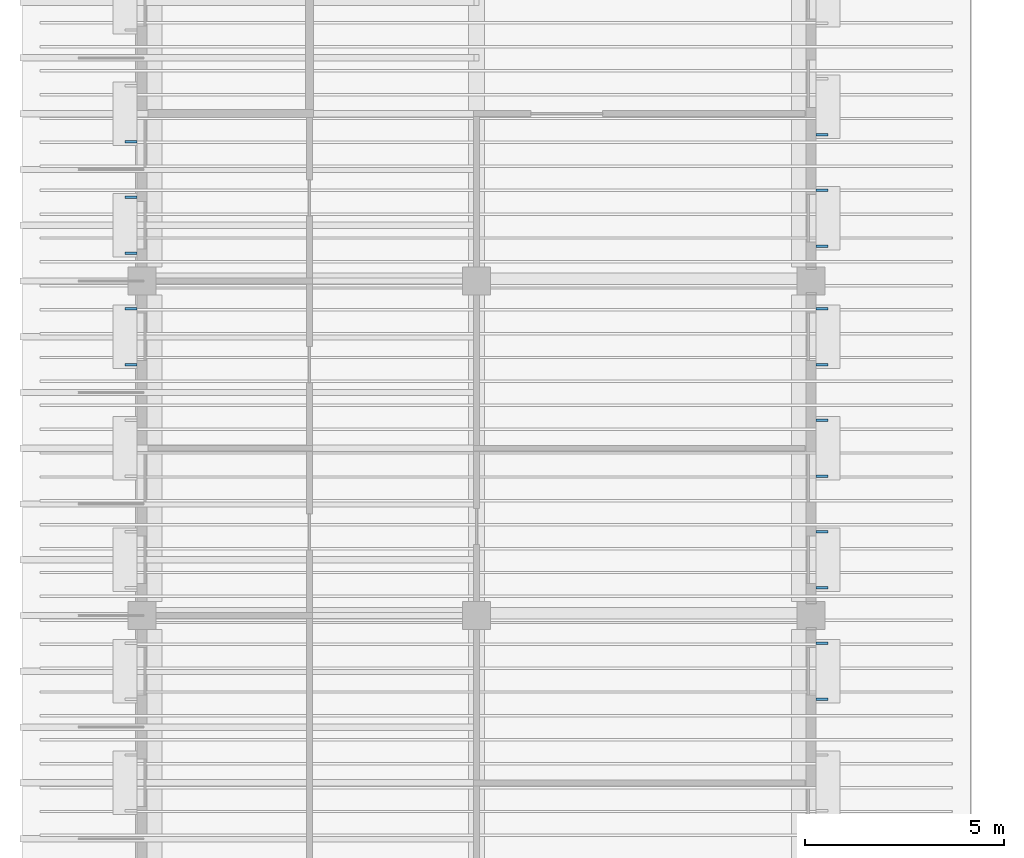
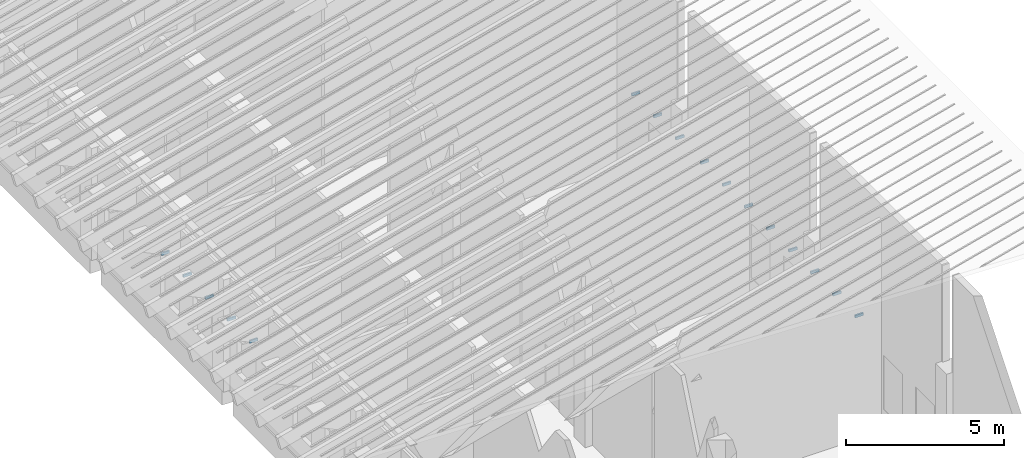
# One storey, part 35 of 82: 16 discrete accessories.
"""IFC4 building model written with IfcOpenShell, lengths in metres."""

from ifc_helpers import new_model, si_unit, direction, frame, origin, origin_2d, place, context, subcontext, project, spatial, rectangle, extrude, material, type_object, element, save


model = new_model("IFC4")

# Units and contexts
model_context = context("Model", 3, precision=1e-05, world=origin(), true_north=direction((0.0, 1.0)))
body_context = subcontext(model_context, "Body", "Model", "MODEL_VIEW")
ifc_project = project(units=[si_unit("LENGTHUNIT", "METRE"), si_unit("AREAUNIT", "SQUARE_METRE"), si_unit("VOLUMEUNIT", "CUBIC_METRE"), si_unit("PLANEANGLEUNIT", "RADIAN"), si_unit("MASSUNIT", "GRAM", prefix="KILO")], contexts=[model_context])

# Site, building, storey
site_placement = place(None, origin())
site = spatial("IfcSite", under=ifc_project, at=site_placement, CompositionType="ELEMENT")
building_placement = place(site_placement, origin())
building = spatial("IfcBuilding", under=site, at=building_placement, Name="Almond Square Museum", CompositionType="ELEMENT")
storey_placement = place(building_placement, frame((0.0, 0.0, 20.0)))
storey = spatial("IfcBuildingStorey", under=building, at=storey_placement, Name="L03", CompositionType="ELEMENT", Elevation=20.0)

# Discrete accessories
ifc_material = material(Name="Stainless steel", Category="steel")
discrete_accessory_type = type_object("IfcDiscreteAccessoryType", Name="Sun-shade blade bracket", PredefinedType="BRACKET", material=ifc_material)
for number, where, z_axis, x_axis, name in (
    (1, (23.072998046875, 48.300048828125, 2.9970703125), (0.0, 0.0, 1.0), (1.0, 0.0, 0.0), "Bracket sun-shade blade"),
    (2, (23.072998046875, 49.699951171875, 2.9970703125), (0.0, 0.0, 1.0), (1.0, 0.0, 0.0), "Bracket sun-shade blade"),
    (3, (23.072998046875, 51.10009765625, 2.9970703125), (0.0, 0.0, 1.0), (1.0, 0.0, 0.0), "Bracket sun-shade blade"),
    (4, (23.072998046875, 52.5, 2.9970703125), (0.0, 0.0, 1.0), (1.0, 0.0, 0.0), "Bracket sun-shade blade"),
    (5, (23.072998046875, 53.89990234375, 2.9970703125), (0.0, 0.0, 1.0), (1.0, 0.0, 0.0), "Bracket sun-shade blade"),
    (6, (23.072998046875, 55.300048828125, 2.9970703125), (0.0, 0.0, 1.0), (1.0, 0.0, 0.0), "Bracket sun-shade blade"),
    (7, (23.072998046875, 56.699951171875, 2.9970703125), (0.0, 0.0, 1.0), (1.0, 0.0, 0.0), "Bracket sun-shade blade"),
    (8, (23.072998046875, 58.10009765625, 2.9970703125), (0.0, 0.0, 1.0), (1.0, 0.0, 0.0), "Bracket sun-shade blade"),
    (9, (23.072998046875, 59.675048828125, 2.9970703125), (0.0, 0.0, 1.0), (1.0, 0.0, 0.0), "Bracket sun-shade blade"),
    (10, (23.072998046875, 61.074951171875, 2.9970703125), (0.0, 0.0, 1.0), (1.0, 0.0, 0.0), "Bracket sun-shade blade"),
    (11, (23.072998046875, 62.47509765625, 2.9970703125), (0.0, 0.0, 1.0), (1.0, 0.0, 0.0), "Bracket sun-shade blade"),
    (12, (5.72705078125, 59.5, 2.9970703125), (0.0, 0.0, 1.0), (1.0, 0.0, 0.0), "Bracket sun-shade blade"),
    (13, (5.72705078125, 60.89990234375, 2.9970703125), (0.0, 0.0, 1.0), (1.0, 0.0, 0.0), "Bracket sun-shade blade"),
    (14, (5.72705078125, 62.300048828125, 2.9970703125), (0.0, 0.0, 1.0), (1.0, 0.0, 0.0), "Bracket sun-shade blade"),
    (15, (5.72705078125, 56.699951171875, 2.9970703125), (0.0, 0.0, 1.0), (1.0, 0.0, 0.0), "Bracket sun-shade blade"),
    (16, (5.72705078125, 58.10009765625, 2.9970703125), (0.0, 0.0, 1.0), (1.0, 0.0, 0.0), "Bracket sun-shade blade"),
):
    element("IfcDiscreteAccessory", number, at=place(storey_placement, frame(where, z_axis=z_axis, x_axis=x_axis)), inside=storey, type_object=discrete_accessory_type, Name=name, PredefinedType="BRACKET", context=body_context, shape_type="SweptSolid", body=[
        extrude(rectangle(XDim=0.300048828125, YDim=0.06005859375, at=origin_2d()), origin(), (0.0, 0.0, 1.0), 0.10009765625),
    ])

save(model, "model.ifc")
